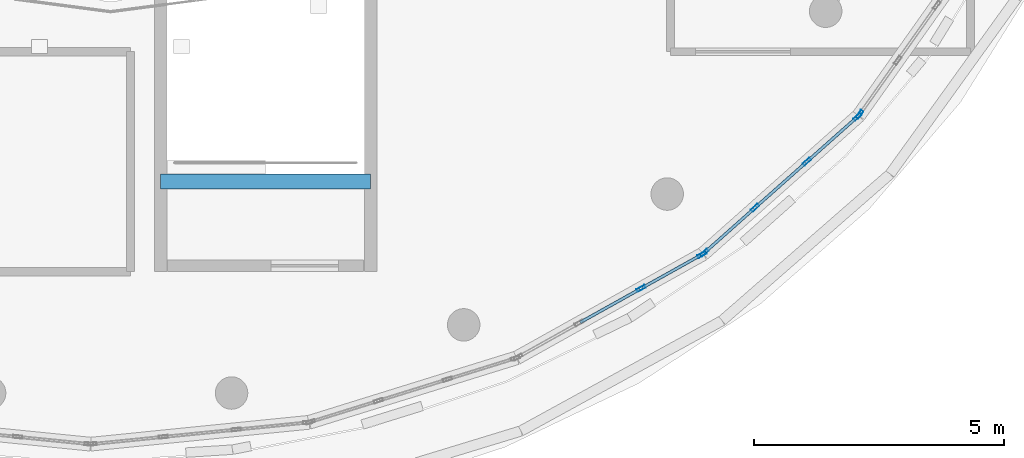
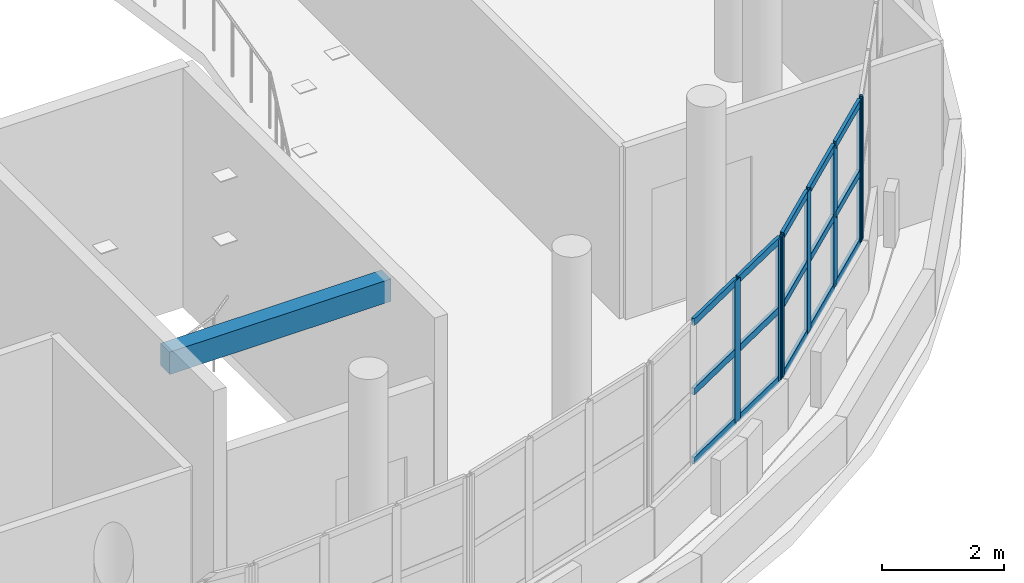
# One storey, part 9 of 105: 22 members, 1 beam, 3 elements without a shape of their own.
"""IFC4 building model written with IfcOpenShell, lengths in metres."""

import ifcopenshell
import ifcopenshell.guid

model = None  # the IFC model being written
_history = None  # IfcOwnerHistory: only IFC2X3 demands one
_inside = {}  # id of a spatial element -> (the spatial element, [elements in it])
_under = {}  # id of a project, library or spatial element -> (it, [spatial elements below it])
_declared = {}  # id of a project -> (the project, [libraries it declares])
_typed = {}  # id of a type object -> (the type object, [elements of that type])
_made_of = {}  # id of a material, layer set ... -> (it, [elements and type objects made of it])


def new_model(schema):
    """Start an empty IFC model of exactly this schema.

    Asked for "IFC4X3", IfcOpenShell would pick the latest addendum, in which some entities
    have other attributes; the version numbers below select the first issue.
    IFC2X3 requires an IfcOwnerHistory on every rooted entity: one is made here for all.
    """
    global model, _history
    if schema == "IFC4X3":
        model = ifcopenshell.file(schema_version=(4, 3, 0, 0))
    else:
        model = ifcopenshell.file(schema=schema)
    _inside.clear()
    _under.clear()
    _declared.clear()
    _typed.clear()
    _made_of.clear()
    _history = None
    if model.schema == "IFC2X3":
        org = make("IfcOrganization", Name="unknown")
        user = make(
            "IfcPersonAndOrganization",
            ThePerson=make("IfcPerson", FamilyName="unknown"),
            TheOrganization=org,
        )
        app = make(
            "IfcApplication",
            ApplicationDeveloper=org,
            Version="unknown",
            ApplicationFullName="unknown",
            ApplicationIdentifier="unknown",
        )
        _history = make(
            "IfcOwnerHistory",
            OwningUser=user,
            OwningApplication=app,
            ChangeAction="ADDED",
            CreationDate=0,
        )
    return model


def make(cls, **values):
    """One entity of the class cls with the attributes given. An attribute that is None is left unset."""
    return model.create_entity(
        cls, **{name: value for name, value in values.items() if value is not None}
    )


def rooted(cls, **values):
    """An entity with a GlobalId (a new one), such as an element, a storey or a relation."""
    return make(cls, GlobalId=ifcopenshell.guid.new(), OwnerHistory=_history, **values)


def si_unit(unit_type, name, prefix=None):
    """IfcSIUnit, for example si_unit("LENGTHUNIT", "METRE", prefix="MILLI")."""
    return make("IfcSIUnit", UnitType=unit_type, Prefix=prefix, Name=name)


def assignment(units):
    """IfcUnitAssignment: the units of a project."""
    return None if units is None else make("IfcUnitAssignment", Units=units)


def point(xyz):
    """IfcCartesianPoint."""
    return None if xyz is None else make("IfcCartesianPoint", Coordinates=xyz)


def direction(xyz):
    """IfcDirection."""
    return None if xyz is None else make("IfcDirection", DirectionRatios=xyz)


def frame(location, z_axis=None, x_axis=None):
    """IfcAxis2Placement3D, a coordinate frame: its origin and axes. An axis left out is left unset."""
    return make(
        "IfcAxis2Placement3D",
        Location=point(location),
        Axis=direction(z_axis),
        RefDirection=direction(x_axis),
    )


def frame_2d(location, x_axis=None):
    """IfcAxis2Placement2D, a coordinate frame in the plane: its origin and x axis."""
    return make(
        "IfcAxis2Placement2D", Location=point(location), RefDirection=direction(x_axis)
    )


def origin():
    """The frame at (0, 0, 0) with its axes left unset."""
    return frame((0.0, 0.0, 0.0))


def origin_2d():
    """The frame at (0, 0) in the plane with its x axis left unset."""
    return frame_2d((0.0, 0.0))


def place(relative_to, where):
    """IfcLocalPlacement: puts the frame where relative to a parent placement (None: the world)."""
    return make(
        "IfcLocalPlacement", PlacementRelTo=relative_to, RelativePlacement=where
    )


def context(
    kind, dimensions, precision=None, world=None, true_north=None, identifier=None
):
    """IfcGeometricRepresentationContext, for example the 3D "Model" context."""
    return make(
        "IfcGeometricRepresentationContext",
        ContextIdentifier=identifier,
        ContextType=kind,
        CoordinateSpaceDimension=dimensions,
        Precision=precision,
        WorldCoordinateSystem=world,
        TrueNorth=true_north,
    )


def subcontext(parent, identifier, kind, view, scale=None):
    """IfcGeometricRepresentationSubContext, for example "Body" below "Model"."""
    return make(
        "IfcGeometricRepresentationSubContext",
        ContextIdentifier=identifier,
        ContextType=kind,
        ParentContext=parent,
        TargetScale=scale,
        TargetView=view,
    )


def project(units=None, contexts=None):
    """IfcProject with its units and contexts."""
    return rooted(
        "IfcProject",
        Name="project",
        RepresentationContexts=contexts,
        UnitsInContext=assignment(units),
    )


def spatial(cls, under=None, at=None, **own):
    """A site, building, storey or space (cls), placed at a placement, below another one or the project."""
    s = rooted(cls, ObjectPlacement=at, **own)
    if under is not None:
        _under.setdefault(under.id(), (under, []))[1].append(s)
    return s


def profile(cls, at=None, kind="AREA", **sizes):
    """A parametric profile (cls). Its sizes go by their IFC names, for example OverallWidth=200.0."""
    return make(cls, ProfileType=kind, Position=at, **sizes)


def rectangle(**sizes):
    """IfcRectangleProfileDef."""
    return profile("IfcRectangleProfileDef", **sizes)


def hollow_rectangle(**sizes):
    """IfcRectangleHollowProfileDef."""
    return profile("IfcRectangleHollowProfileDef", **sizes)


def extrude(swept, where, along, depth):
    """IfcExtrudedAreaSolid: the profile swept, set in the frame where, extruded along a direction by depth."""
    return make(
        "IfcExtrudedAreaSolid",
        SweptArea=swept,
        Position=where,
        ExtrudedDirection=direction(along),
        Depth=depth,
    )


def shape(context_of_items, identifier, shape_type, items):
    """IfcShapeRepresentation: the items that make up one representation, for example the "Body"."""
    return make(
        "IfcShapeRepresentation",
        ContextOfItems=context_of_items,
        RepresentationIdentifier=identifier,
        RepresentationType=shape_type,
        Items=items,
    )


def material(Name=None, Category=None):
    """IfcMaterial."""
    return make("IfcMaterial", Name=Name, Category=Category)


def layer(
    of_material, thickness, ventilated=None, Name=None, Category=None, Priority=None
):
    """IfcMaterialLayer: one layer of a wall or slab, of a material (None: an air gap)."""
    return make(
        "IfcMaterialLayer",
        Material=of_material,
        LayerThickness=thickness,
        IsVentilated=ventilated,
        Name=Name,
        Category=Category,
        Priority=Priority,
    )


def layer_set(layers, Name=None):
    """IfcMaterialLayerSet."""
    return make("IfcMaterialLayerSet", MaterialLayers=layers, LayerSetName=Name)


def material_profile(
    of_material, cross_section, Name=None, Category=None, Priority=None
):
    """IfcMaterialProfile: a cross section and its material."""
    return make(
        "IfcMaterialProfile",
        Name=Name,
        Material=of_material,
        Profile=cross_section,
        Priority=Priority,
        Category=Category,
    )


def profile_set(profiles, Name=None, composite=None):
    """IfcMaterialProfileSet."""
    return make(
        "IfcMaterialProfileSet",
        Name=Name,
        MaterialProfiles=profiles,
        CompositeProfile=composite,
    )


def made_of(thing, what):
    """Note that an element or type object is made of a material, layer set ...; save() writes the relation."""
    if what is not None:
        _made_of.setdefault(what.id(), (what, []))[1].append(thing)
    return thing


def type_object(cls, material=None, **own):
    """A type object (cls), such as IfcWallType, which elements share."""
    return made_of(rooted(cls, **own), material)


def element(
    cls,
    number,
    at=None,
    inside=None,
    cuts=None,
    type_object=None,
    material=None,
    context=None,
    identifier="Body",
    shape_type=None,
    held_by="IfcProductDefinitionShape",
    body=None,
    shapes=None,
    **own,
):
    """One element of the class cls, such as IfcWall. Its Tag is "e" and its number.

    at: its placement. inside: the storey or other place that contains it. cuts: it is an
    opening in that element (IfcRelVoidsElement). A single representation is given by context,
    identifier, shape_type and body (its items); several are given by shapes. held_by: the class
    of the entity that holds the representations. save() writes the other relations.
    """
    e = rooted(cls, Tag="e%d" % number, ObjectPlacement=at, **own)
    if body is not None:
        shapes = [shape(context, identifier, shape_type, body)]
    if shapes is not None:
        e.Representation = make(held_by, Representations=shapes)
    if inside is not None:
        _inside.setdefault(inside.id(), (inside, []))[1].append(e)
    if cuts is not None:
        rooted(
            "IfcRelVoidsElement", RelatingBuildingElement=cuts, RelatedOpeningElement=e
        )
    if type_object is not None:
        _typed.setdefault(type_object.id(), (type_object, []))[1].append(e)
    return made_of(e, material)


def aggregate(whole, parts):
    """IfcRelAggregates: a whole, such as a stair, and the parts it consists of."""
    return rooted("IfcRelAggregates", RelatingObject=whole, RelatedObjects=parts)


def save(model, path):
    """Write the relations noted so far, then the file.

    IfcRelAggregates (storeys below a building ...), IfcRelContainedInSpatialStructure (elements
    in a storey), IfcRelDefinesByType, IfcRelAssociatesMaterial and IfcRelDeclares: one each for
    every whole, place, type object, material and project.
    """
    for whole, parts in _under.values():
        aggregate(whole, parts)
    for where, things in _inside.values():
        rooted(
            "IfcRelContainedInSpatialStructure",
            RelatedElements=things,
            RelatingStructure=where,
        )
    for kind, things in _typed.values():
        rooted("IfcRelDefinesByType", RelatedObjects=things, RelatingType=kind)
    for what, things in _made_of.values():
        rooted("IfcRelAssociatesMaterial", RelatedObjects=things, RelatingMaterial=what)
    for by, libraries in _declared.values():
        rooted("IfcRelDeclares", RelatingContext=by, RelatedDefinitions=libraries)
    model.write(path)


model = new_model("IFC4")

# Units and contexts
model_context = context("Model", 3, precision=1e-05, world=origin(), true_north=direction((0.0, 1.0)))
body_context = subcontext(model_context, "Body", "Model", "MODEL_VIEW")
ifc_project = project(units=[si_unit("LENGTHUNIT", "METRE"), si_unit("AREAUNIT", "SQUARE_METRE"), si_unit("VOLUMEUNIT", "CUBIC_METRE"), si_unit("PLANEANGLEUNIT", "RADIAN"), si_unit("MASSUNIT", "GRAM", prefix="KILO")], contexts=[model_context])

# Site, building, storey
site_placement = place(None, origin())
site = spatial("IfcSite", under=ifc_project, at=site_placement, CompositionType="ELEMENT")
building_placement = place(site_placement, origin())
building = spatial("IfcBuilding", under=site, at=building_placement, Name="Pelvatis Terrace Science Centre", CompositionType="ELEMENT")
storey_placement = place(building_placement, frame((0.0, 0.0, 10.199951171875)))
storey = spatial("IfcBuildingStorey", under=building, at=storey_placement, Name="L02", CompositionType="ELEMENT", Elevation=10.199951171875)

# Beam
ifc_material_1 = material(Name="Concrete C35/45", Category="concrete")
ifc_material_profile_1 = material_profile(ifc_material_1, rectangle(XDim=0.300048828125, YDim=0.449951171875, at=origin_2d()), Name="RC-BM 300x450")
ifc_profile_set_1 = profile_set([ifc_material_profile_1], Name="Concrete C35/45")
beam_type = type_object("IfcBeamType", Name="BM-RC-300x450", PredefinedType="BEAM", material=ifc_profile_set_1)
beam_placement = place(storey_placement, frame((79.0, 42.0, 4.320068359375), z_axis=(1.0, 0.0, 0.0), x_axis=(0.0, 1.0, 0.0)))
element("IfcBeam", 1, at=beam_placement, inside=storey, type_object=beam_type, Name="Stair ST-06 header beam (L02)", PredefinedType="BEAM", context=body_context, shape_type="SweptSolid", body=[
    extrude(rectangle(XDim=0.300048828125, YDim=0.449951171875, at=origin_2d()), origin(), (0.0, 0.0, 1.0), 4.199951171875),
])

# Curtain wall, members
ifc_material_2 = material(Name="Bronze-anodised aluminium and laminated glass", Category="aluminium")
ifc_layer = layer(ifc_material_2, 0.179931640625)
ifc_layer_set = layer_set([ifc_layer], Name="Bronze-anodised aluminium and laminated glass")
curtain_wall_type = type_object("IfcCurtainWallType", Name="CW-RIBBON-A", PredefinedType="NOTDEFINED", material=ifc_layer_set)
curtain_wall_1_placement = place(storey_placement, origin())
curtain_wall_1 = element("IfcCurtainWall", 2, at=curtain_wall_1_placement, inside=storey, type_object=curtain_wall_type, Name="Ribbon curtain wall CW-096 (L02)", PredefinedType="NOTDEFINED")
ifc_material_3 = material(Name="Bronze-anodised aluminium 6063-T6", Category="aluminium")
ifc_material_profile_2 = material_profile(ifc_material_3, hollow_rectangle(XDim=0.06005859375, YDim=0.179931640625, WallThickness=0.00390625, at=origin_2d()), Name="ALU-MUL 60x180")
ifc_profile_set_2 = profile_set([ifc_material_profile_2], Name="Bronze-anodised aluminium 6063-T6")
member_type_1 = type_object("IfcMemberType", Name="CWM-60x180", PredefinedType="MULLION", material=ifc_profile_set_2)
member_1_placement = place(storey_placement, frame((88.609619140625, 39.864013671875, 1.02001953125), z_axis=(0.0, 0.0, 1.0), x_axis=(-0.487256020167, 0.87325916589, 0.0)))
member_1 = element("IfcMember", 3, at=member_1_placement, type_object=member_type_1, Name="CW-096 mullion 3", PredefinedType="MULLION", context=body_context, shape_type="SweptSolid", body=[
    extrude(hollow_rectangle(XDim=0.06005859375, YDim=0.179931640625, WallThickness=0.00390625, at=origin_2d()), origin(), (0.0, 0.0, 1.0), 2.840087890625),
])
member_2_placement = place(storey_placement, frame((89.825439453125, 40.54248046875, 1.02001953125), z_axis=(0.0, 0.0, 1.0), x_axis=(-0.487256020167, 0.87325916589, 0.0)))
member_2 = element("IfcMember", 4, at=member_2_placement, type_object=member_type_1, Name="CW-096 mullion 4", PredefinedType="MULLION", context=body_context, shape_type="SweptSolid", body=[
    extrude(hollow_rectangle(XDim=0.06005859375, YDim=0.179931640625, WallThickness=0.00390625, at=origin_2d()), origin(), (0.0, 0.0, 1.0), 2.840087890625),
])

curtain_wall_2_placement = place(storey_placement, origin())
curtain_wall_2 = element("IfcCurtainWall", 5, at=curtain_wall_2_placement, inside=storey, type_object=curtain_wall_type, Name="Ribbon curtain wall CW-097 (L02)", PredefinedType="NOTDEFINED")
member_3_placement = place(storey_placement, frame((89.8740234375, 40.576904296875, 1.02001953125), z_axis=(0.0, 0.0, 1.0), x_axis=(-0.664016220834, 0.747718167808, 0.0)))
member_3 = element("IfcMember", 6, at=member_3_placement, type_object=member_type_1, Name="CW-097 mullion 1", PredefinedType="MULLION", context=body_context, shape_type="SweptSolid", body=[
    extrude(hollow_rectangle(XDim=0.06005859375, YDim=0.179931640625, WallThickness=0.00390625, at=origin_2d()), origin(), (0.0, 0.0, 1.0), 2.840087890625),
])
member_4_placement = place(storey_placement, frame((90.888671875, 41.47802734375, 1.02001953125), z_axis=(0.0, 0.0, 1.0), x_axis=(-0.664016220834, 0.747718167808, 0.0)))
member_4 = element("IfcMember", 7, at=member_4_placement, type_object=member_type_1, Name="CW-097 mullion 2", PredefinedType="MULLION", context=body_context, shape_type="SweptSolid", body=[
    extrude(hollow_rectangle(XDim=0.06005859375, YDim=0.179931640625, WallThickness=0.00390625, at=origin_2d()), origin(), (0.0, 0.0, 1.0), 2.840087890625),
])
member_5_placement = place(storey_placement, frame((91.92578125, 42.399169921875, 1.02001953125), z_axis=(0.0, 0.0, 1.0), x_axis=(-0.664016220834, 0.747718167808, 0.0)))
member_5 = element("IfcMember", 8, at=member_5_placement, type_object=member_type_1, Name="CW-097 mullion 3", PredefinedType="MULLION", context=body_context, shape_type="SweptSolid", body=[
    extrude(hollow_rectangle(XDim=0.06005859375, YDim=0.179931640625, WallThickness=0.00390625, at=origin_2d()), origin(), (0.0, 0.0, 1.0), 2.840087890625),
])
member_6_placement = place(storey_placement, frame((92.940673828125, 43.30029296875, 1.02001953125), z_axis=(0.0, 0.0, 1.0), x_axis=(-0.664016220834, 0.747718167808, 0.0)))
member_6 = element("IfcMember", 9, at=member_6_placement, type_object=member_type_1, Name="CW-097 mullion 4", PredefinedType="MULLION", context=body_context, shape_type="SweptSolid", body=[
    extrude(hollow_rectangle(XDim=0.06005859375, YDim=0.179931640625, WallThickness=0.00390625, at=origin_2d()), origin(), (0.0, 0.0, 1.0), 2.840087890625),
])

# Curtain wall, member
curtain_wall_3_placement = place(storey_placement, origin())
curtain_wall_3 = element("IfcCurtainWall", 10, at=curtain_wall_3_placement, inside=storey, type_object=curtain_wall_type, Name="Ribbon curtain wall CW-098 (L02)", PredefinedType="NOTDEFINED")
member_7_placement = place(storey_placement, frame((92.980224609375, 43.344482421875, 1.02001953125), z_axis=(0.0, 0.0, 1.0), x_axis=(-0.8163259778, 0.57759146286, 0.0)))
member_7 = element("IfcMember", 11, at=member_7_placement, type_object=member_type_1, Name="CW-098 mullion 1", PredefinedType="MULLION", context=body_context, shape_type="SweptSolid", body=[
    extrude(hollow_rectangle(XDim=0.06005859375, YDim=0.179931640625, WallThickness=0.00390625, at=origin_2d()), origin(), (0.0, 0.0, 1.0), 2.840087890625),
])
aggregate(curtain_wall_3, [member_7])

# Member
ifc_material_4 = material(Name="Bronze-anodised aluminium 6063-T6", Category="aluminium")
ifc_material_profile_3 = material_profile(ifc_material_4, hollow_rectangle(XDim=0.06005859375, YDim=0.139892578125, WallThickness=0.00390625, at=origin_2d()), Name="ALU-TRN 60x140")
ifc_profile_set_3 = profile_set([ifc_material_profile_3], Name="Bronze-anodised aluminium 6063-T6")
member_type_2 = type_object("IfcMemberType", Name="CWT-60x140", PredefinedType="USERDEFINED", material=ifc_profile_set_3)
member_8_placement = place(storey_placement, frame((87.39404296875, 39.185791015625, 1.050048828125), z_axis=(0.873293480887, 0.487194515815, 0.0), x_axis=(-0.487194515815, 0.873293480887, 0.0)))
member_8 = element("IfcMember", 12, at=member_8_placement, type_object=member_type_2, Name="CW-096 transom 2.1", ObjectType="TRANSOM", PredefinedType="USERDEFINED", context=body_context, shape_type="SweptSolid", body=[
    extrude(hollow_rectangle(XDim=0.06005859375, YDim=0.139892578125, WallThickness=0.00390625, at=origin_2d()), origin(), (0.0, 0.0, 1.0), 1.362060546875),
])

member_9_placement = place(storey_placement, frame((87.39404296875, 39.185791015625, 2.43994140625), z_axis=(0.873293480887, 0.487194515815, 0.0), x_axis=(-0.487194515815, 0.873293480887, 0.0)))
member_9 = element("IfcMember", 13, at=member_9_placement, type_object=member_type_2, Name="CW-096 transom 2.2", ObjectType="TRANSOM", PredefinedType="USERDEFINED", context=body_context, shape_type="SweptSolid", body=[
    extrude(hollow_rectangle(XDim=0.06005859375, YDim=0.139892578125, WallThickness=0.00390625, at=origin_2d()), origin(), (0.0, 0.0, 1.0), 1.362060546875),
])

member_10_placement = place(storey_placement, frame((87.39404296875, 39.185791015625, 3.830078125), z_axis=(0.873293480887, 0.487194515815, 0.0), x_axis=(-0.487194515815, 0.873293480887, 0.0)))
member_10 = element("IfcMember", 14, at=member_10_placement, type_object=member_type_2, Name="CW-096 transom 2.3", ObjectType="TRANSOM", PredefinedType="USERDEFINED", context=body_context, shape_type="SweptSolid", body=[
    extrude(hollow_rectangle(XDim=0.06005859375, YDim=0.139892578125, WallThickness=0.00390625, at=origin_2d()), origin(), (0.0, 0.0, 1.0), 1.362060546875),
])

member_11_placement = place(storey_placement, frame((88.635986328125, 39.878662109375, 1.050048828125), z_axis=(0.873239414346, 0.487291417155, 0.0), x_axis=(-0.487291417155, 0.873239414346, 0.0)))
member_11 = element("IfcMember", 15, at=member_11_placement, type_object=member_type_2, Name="CW-096 transom 3.1", ObjectType="TRANSOM", PredefinedType="USERDEFINED", context=body_context, shape_type="SweptSolid", body=[
    extrude(hollow_rectangle(XDim=0.06005859375, YDim=0.139892578125, WallThickness=0.00390625, at=origin_2d()), origin(), (0.0, 0.0, 1.0), 1.332275390625),
])

member_12_placement = place(storey_placement, frame((88.635986328125, 39.878662109375, 2.43994140625), z_axis=(0.873239414346, 0.487291417155, 0.0), x_axis=(-0.487291417155, 0.873239414346, 0.0)))
member_12 = element("IfcMember", 16, at=member_12_placement, type_object=member_type_2, Name="CW-096 transom 3.2", ObjectType="TRANSOM", PredefinedType="USERDEFINED", context=body_context, shape_type="SweptSolid", body=[
    extrude(hollow_rectangle(XDim=0.06005859375, YDim=0.139892578125, WallThickness=0.00390625, at=origin_2d()), origin(), (0.0, 0.0, 1.0), 1.332275390625),
])

member_13_placement = place(storey_placement, frame((88.635986328125, 39.878662109375, 3.830078125), z_axis=(0.873239414346, 0.487291417155, 0.0), x_axis=(-0.487291417155, 0.873239414346, 0.0)))
member_13 = element("IfcMember", 17, at=member_13_placement, type_object=member_type_2, Name="CW-096 transom 3.3", ObjectType="TRANSOM", PredefinedType="USERDEFINED", context=body_context, shape_type="SweptSolid", body=[
    extrude(hollow_rectangle(XDim=0.06005859375, YDim=0.139892578125, WallThickness=0.00390625, at=origin_2d()), origin(), (0.0, 0.0, 1.0), 1.332275390625),
])

aggregate(curtain_wall_1, [member_1, member_2, member_8, member_9, member_10, member_11, member_12, member_13])

member_14_placement = place(storey_placement, frame((89.896484375, 40.596923828125, 1.050048828125), z_axis=(0.747751974574, 0.663978150635, 0.0), x_axis=(-0.663978150635, 0.747751974574, 0.0)))
member_14 = element("IfcMember", 18, at=member_14_placement, type_object=member_type_2, Name="CW-097 transom 1.1", ObjectType="TRANSOM", PredefinedType="USERDEFINED", context=body_context, shape_type="SweptSolid", body=[
    extrude(hollow_rectangle(XDim=0.06005859375, YDim=0.139892578125, WallThickness=0.00390625, at=origin_2d()), origin(), (0.0, 0.0, 1.0), 1.296875),
])

member_15_placement = place(storey_placement, frame((89.896484375, 40.596923828125, 2.43994140625), z_axis=(0.747751974574, 0.663978150635, 0.0), x_axis=(-0.663978150635, 0.747751974574, 0.0)))
member_15 = element("IfcMember", 19, at=member_15_placement, type_object=member_type_2, Name="CW-097 transom 1.2", ObjectType="TRANSOM", PredefinedType="USERDEFINED", context=body_context, shape_type="SweptSolid", body=[
    extrude(hollow_rectangle(XDim=0.06005859375, YDim=0.139892578125, WallThickness=0.00390625, at=origin_2d()), origin(), (0.0, 0.0, 1.0), 1.296875),
])

member_16_placement = place(storey_placement, frame((89.896484375, 40.596923828125, 3.830078125), z_axis=(0.747751974574, 0.663978150635, 0.0), x_axis=(-0.663978150635, 0.747751974574, 0.0)))
member_16 = element("IfcMember", 20, at=member_16_placement, type_object=member_type_2, Name="CW-097 transom 1.3", ObjectType="TRANSOM", PredefinedType="USERDEFINED", context=body_context, shape_type="SweptSolid", body=[
    extrude(hollow_rectangle(XDim=0.06005859375, YDim=0.139892578125, WallThickness=0.00390625, at=origin_2d()), origin(), (0.0, 0.0, 1.0), 1.296875),
])

member_17_placement = place(storey_placement, frame((90.9111328125, 41.498046875, 1.050048828125), z_axis=(0.747723916371, 0.664009747584, 0.0), x_axis=(-0.664009747584, 0.747723916371, 0.0)))
member_17 = element("IfcMember", 21, at=member_17_placement, type_object=member_type_2, Name="CW-097 transom 2.1", ObjectType="TRANSOM", PredefinedType="USERDEFINED", context=body_context, shape_type="SweptSolid", body=[
    extrude(hollow_rectangle(XDim=0.06005859375, YDim=0.139892578125, WallThickness=0.00390625, at=origin_2d()), origin(), (0.0, 0.0, 1.0), 1.326904296875),
])

member_18_placement = place(storey_placement, frame((90.9111328125, 41.498046875, 2.43994140625), z_axis=(0.747723916371, 0.664009747584, 0.0), x_axis=(-0.664009747584, 0.747723916371, 0.0)))
member_18 = element("IfcMember", 22, at=member_18_placement, type_object=member_type_2, Name="CW-097 transom 2.2", ObjectType="TRANSOM", PredefinedType="USERDEFINED", context=body_context, shape_type="SweptSolid", body=[
    extrude(hollow_rectangle(XDim=0.06005859375, YDim=0.139892578125, WallThickness=0.00390625, at=origin_2d()), origin(), (0.0, 0.0, 1.0), 1.326904296875),
])

member_19_placement = place(storey_placement, frame((90.9111328125, 41.498046875, 3.830078125), z_axis=(0.747723916371, 0.664009747584, 0.0), x_axis=(-0.664009747584, 0.747723916371, 0.0)))
member_19 = element("IfcMember", 23, at=member_19_placement, type_object=member_type_2, Name="CW-097 transom 2.3", ObjectType="TRANSOM", PredefinedType="USERDEFINED", context=body_context, shape_type="SweptSolid", body=[
    extrude(hollow_rectangle(XDim=0.06005859375, YDim=0.139892578125, WallThickness=0.00390625, at=origin_2d()), origin(), (0.0, 0.0, 1.0), 1.326904296875),
])

member_20_placement = place(storey_placement, frame((91.9482421875, 42.4189453125, 1.050048828125), z_axis=(0.747741505726, 0.663989940146, 0.0), x_axis=(-0.663989940146, 0.747741505726, 0.0)))
member_20 = element("IfcMember", 24, at=member_20_placement, type_object=member_type_2, Name="CW-097 transom 3.1", ObjectType="TRANSOM", PredefinedType="USERDEFINED", context=body_context, shape_type="SweptSolid", body=[
    extrude(hollow_rectangle(XDim=0.06005859375, YDim=0.139892578125, WallThickness=0.00390625, at=origin_2d()), origin(), (0.0, 0.0, 1.0), 1.297119140625),
])

member_21_placement = place(storey_placement, frame((91.9482421875, 42.4189453125, 2.43994140625), z_axis=(0.747741505726, 0.663989940146, 0.0), x_axis=(-0.663989940146, 0.747741505726, 0.0)))
member_21 = element("IfcMember", 25, at=member_21_placement, type_object=member_type_2, Name="CW-097 transom 3.2", ObjectType="TRANSOM", PredefinedType="USERDEFINED", context=body_context, shape_type="SweptSolid", body=[
    extrude(hollow_rectangle(XDim=0.06005859375, YDim=0.139892578125, WallThickness=0.00390625, at=origin_2d()), origin(), (0.0, 0.0, 1.0), 1.297119140625),
])

member_22_placement = place(storey_placement, frame((91.9482421875, 42.4189453125, 3.830078125), z_axis=(0.747741505726, 0.663989940146, 0.0), x_axis=(-0.663989940146, 0.747741505726, 0.0)))
member_22 = element("IfcMember", 26, at=member_22_placement, type_object=member_type_2, Name="CW-097 transom 3.3", ObjectType="TRANSOM", PredefinedType="USERDEFINED", context=body_context, shape_type="SweptSolid", body=[
    extrude(hollow_rectangle(XDim=0.06005859375, YDim=0.139892578125, WallThickness=0.00390625, at=origin_2d()), origin(), (0.0, 0.0, 1.0), 1.297119140625),
])

aggregate(curtain_wall_2, [member_3, member_4, member_5, member_6, member_14, member_15, member_16, member_17, member_18, member_19, member_20, member_21, member_22])

save(model, "model.ifc")
